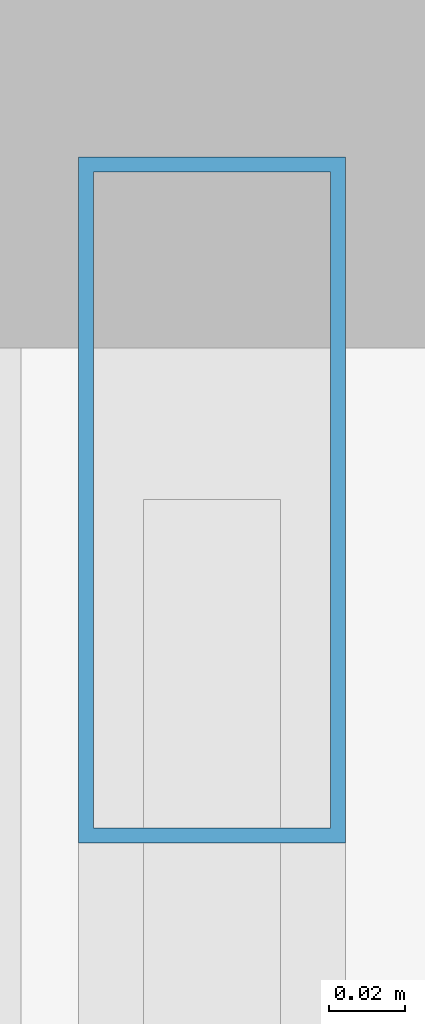
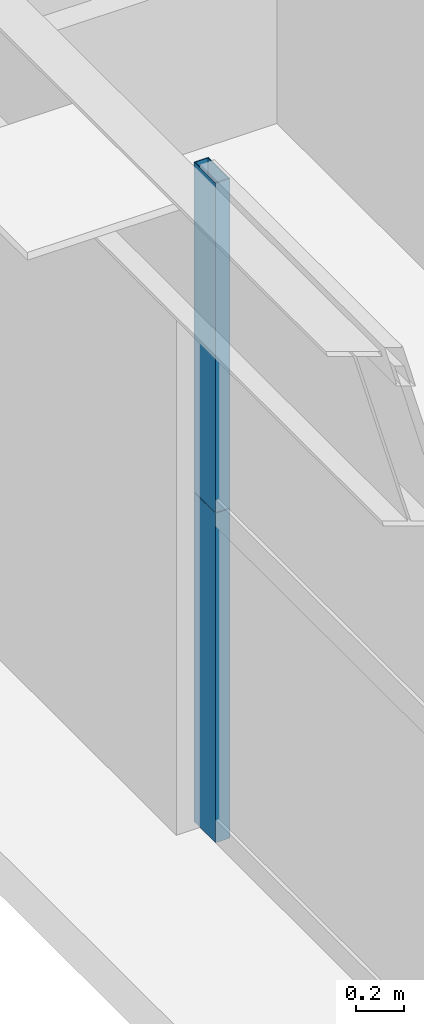
# One storey, part 25 of 45: 2 members, 1 element without a shape of its own.
"""IFC4 building model written with IfcOpenShell, lengths in metres."""

import ifcopenshell
import ifcopenshell.guid

model = None  # the IFC model being written
_history = None  # IfcOwnerHistory: only IFC2X3 demands one
_inside = {}  # id of a spatial element -> (the spatial element, [elements in it])
_under = {}  # id of a project, library or spatial element -> (it, [spatial elements below it])
_declared = {}  # id of a project -> (the project, [libraries it declares])
_typed = {}  # id of a type object -> (the type object, [elements of that type])
_made_of = {}  # id of a material, layer set ... -> (it, [elements and type objects made of it])


def new_model(schema):
    """Start an empty IFC model of exactly this schema.

    Asked for "IFC4X3", IfcOpenShell would pick the latest addendum, in which some entities
    have other attributes; the version numbers below select the first issue.
    IFC2X3 requires an IfcOwnerHistory on every rooted entity: one is made here for all.
    """
    global model, _history
    if schema == "IFC4X3":
        model = ifcopenshell.file(schema_version=(4, 3, 0, 0))
    else:
        model = ifcopenshell.file(schema=schema)
    _inside.clear()
    _under.clear()
    _declared.clear()
    _typed.clear()
    _made_of.clear()
    _history = None
    if model.schema == "IFC2X3":
        org = make("IfcOrganization", Name="unknown")
        user = make(
            "IfcPersonAndOrganization",
            ThePerson=make("IfcPerson", FamilyName="unknown"),
            TheOrganization=org,
        )
        app = make(
            "IfcApplication",
            ApplicationDeveloper=org,
            Version="unknown",
            ApplicationFullName="unknown",
            ApplicationIdentifier="unknown",
        )
        _history = make(
            "IfcOwnerHistory",
            OwningUser=user,
            OwningApplication=app,
            ChangeAction="ADDED",
            CreationDate=0,
        )
    return model


def make(cls, **values):
    """One entity of the class cls with the attributes given. An attribute that is None is left unset."""
    return model.create_entity(
        cls, **{name: value for name, value in values.items() if value is not None}
    )


def rooted(cls, **values):
    """An entity with a GlobalId (a new one), such as an element, a storey or a relation."""
    return make(cls, GlobalId=ifcopenshell.guid.new(), OwnerHistory=_history, **values)


def si_unit(unit_type, name, prefix=None):
    """IfcSIUnit, for example si_unit("LENGTHUNIT", "METRE", prefix="MILLI")."""
    return make("IfcSIUnit", UnitType=unit_type, Prefix=prefix, Name=name)


def assignment(units):
    """IfcUnitAssignment: the units of a project."""
    return None if units is None else make("IfcUnitAssignment", Units=units)


def point(xyz):
    """IfcCartesianPoint."""
    return None if xyz is None else make("IfcCartesianPoint", Coordinates=xyz)


def direction(xyz):
    """IfcDirection."""
    return None if xyz is None else make("IfcDirection", DirectionRatios=xyz)


def frame(location, z_axis=None, x_axis=None):
    """IfcAxis2Placement3D, a coordinate frame: its origin and axes. An axis left out is left unset."""
    return make(
        "IfcAxis2Placement3D",
        Location=point(location),
        Axis=direction(z_axis),
        RefDirection=direction(x_axis),
    )


def frame_2d(location, x_axis=None):
    """IfcAxis2Placement2D, a coordinate frame in the plane: its origin and x axis."""
    return make(
        "IfcAxis2Placement2D", Location=point(location), RefDirection=direction(x_axis)
    )


def origin():
    """The frame at (0, 0, 0) with its axes left unset."""
    return frame((0.0, 0.0, 0.0))


def origin_2d():
    """The frame at (0, 0) in the plane with its x axis left unset."""
    return frame_2d((0.0, 0.0))


def place(relative_to, where):
    """IfcLocalPlacement: puts the frame where relative to a parent placement (None: the world)."""
    return make(
        "IfcLocalPlacement", PlacementRelTo=relative_to, RelativePlacement=where
    )


def context(
    kind, dimensions, precision=None, world=None, true_north=None, identifier=None
):
    """IfcGeometricRepresentationContext, for example the 3D "Model" context."""
    return make(
        "IfcGeometricRepresentationContext",
        ContextIdentifier=identifier,
        ContextType=kind,
        CoordinateSpaceDimension=dimensions,
        Precision=precision,
        WorldCoordinateSystem=world,
        TrueNorth=true_north,
    )


def subcontext(parent, identifier, kind, view, scale=None):
    """IfcGeometricRepresentationSubContext, for example "Body" below "Model"."""
    return make(
        "IfcGeometricRepresentationSubContext",
        ContextIdentifier=identifier,
        ContextType=kind,
        ParentContext=parent,
        TargetScale=scale,
        TargetView=view,
    )


def project(units=None, contexts=None):
    """IfcProject with its units and contexts."""
    return rooted(
        "IfcProject",
        Name="project",
        RepresentationContexts=contexts,
        UnitsInContext=assignment(units),
    )


def spatial(cls, under=None, at=None, **own):
    """A site, building, storey or space (cls), placed at a placement, below another one or the project."""
    s = rooted(cls, ObjectPlacement=at, **own)
    if under is not None:
        _under.setdefault(under.id(), (under, []))[1].append(s)
    return s


def profile(cls, at=None, kind="AREA", **sizes):
    """A parametric profile (cls). Its sizes go by their IFC names, for example OverallWidth=200.0."""
    return make(cls, ProfileType=kind, Position=at, **sizes)


def hollow_rectangle(**sizes):
    """IfcRectangleHollowProfileDef."""
    return profile("IfcRectangleHollowProfileDef", **sizes)


def extrude(swept, where, along, depth):
    """IfcExtrudedAreaSolid: the profile swept, set in the frame where, extruded along a direction by depth."""
    return make(
        "IfcExtrudedAreaSolid",
        SweptArea=swept,
        Position=where,
        ExtrudedDirection=direction(along),
        Depth=depth,
    )


def shape(context_of_items, identifier, shape_type, items):
    """IfcShapeRepresentation: the items that make up one representation, for example the "Body"."""
    return make(
        "IfcShapeRepresentation",
        ContextOfItems=context_of_items,
        RepresentationIdentifier=identifier,
        RepresentationType=shape_type,
        Items=items,
    )


def source(mapping_origin, context_of_items, identifier, shape_type, items):
    """IfcRepresentationMap: a shape defined once, which mapped items show again and again."""
    return make(
        "IfcRepresentationMap",
        MappingOrigin=mapping_origin,
        MappedRepresentation=shape(context_of_items, identifier, shape_type, items),
    )


def transform(
    local_origin,
    x_axis=None,
    y_axis=None,
    z_axis=None,
    scale=None,
    scale2=None,
    scale3=None,
    uniform=True,
):
    """IfcCartesianTransformationOperator3D, or its non-uniform kind. x_axis, y_axis, z_axis: its Axis1, 2, 3."""
    if uniform:
        return make(
            "IfcCartesianTransformationOperator3D",
            Axis1=direction(x_axis),
            Axis2=direction(y_axis),
            LocalOrigin=point(local_origin),
            Scale=scale,
            Axis3=direction(z_axis),
        )
    return make(
        "IfcCartesianTransformationOperator3DnonUniform",
        Axis1=direction(x_axis),
        Axis2=direction(y_axis),
        LocalOrigin=point(local_origin),
        Scale=scale,
        Axis3=direction(z_axis),
        Scale2=scale2,
        Scale3=scale3,
    )


def mapped(mapping_source, mapping_target):
    """IfcMappedItem: shows the shape of a source again, moved by a transform."""
    return make(
        "IfcMappedItem", MappingSource=mapping_source, MappingTarget=mapping_target
    )


def material(Name=None, Category=None):
    """IfcMaterial."""
    return make("IfcMaterial", Name=Name, Category=Category)


def layer(
    of_material, thickness, ventilated=None, Name=None, Category=None, Priority=None
):
    """IfcMaterialLayer: one layer of a wall or slab, of a material (None: an air gap)."""
    return make(
        "IfcMaterialLayer",
        Material=of_material,
        LayerThickness=thickness,
        IsVentilated=ventilated,
        Name=Name,
        Category=Category,
        Priority=Priority,
    )


def layer_set(layers, Name=None):
    """IfcMaterialLayerSet."""
    return make("IfcMaterialLayerSet", MaterialLayers=layers, LayerSetName=Name)


def material_profile(
    of_material, cross_section, Name=None, Category=None, Priority=None
):
    """IfcMaterialProfile: a cross section and its material."""
    return make(
        "IfcMaterialProfile",
        Name=Name,
        Material=of_material,
        Profile=cross_section,
        Priority=Priority,
        Category=Category,
    )


def profile_set(profiles, Name=None, composite=None):
    """IfcMaterialProfileSet."""
    return make(
        "IfcMaterialProfileSet",
        Name=Name,
        MaterialProfiles=profiles,
        CompositeProfile=composite,
    )


def made_of(thing, what):
    """Note that an element or type object is made of a material, layer set ...; save() writes the relation."""
    if what is not None:
        _made_of.setdefault(what.id(), (what, []))[1].append(thing)
    return thing


def type_object(cls, material=None, **own):
    """A type object (cls), such as IfcWallType, which elements share."""
    return made_of(rooted(cls, **own), material)


def element(
    cls,
    number,
    at=None,
    inside=None,
    cuts=None,
    type_object=None,
    material=None,
    context=None,
    identifier="Body",
    shape_type=None,
    held_by="IfcProductDefinitionShape",
    body=None,
    shapes=None,
    **own,
):
    """One element of the class cls, such as IfcWall. Its Tag is "e" and its number.

    at: its placement. inside: the storey or other place that contains it. cuts: it is an
    opening in that element (IfcRelVoidsElement). A single representation is given by context,
    identifier, shape_type and body (its items); several are given by shapes. held_by: the class
    of the entity that holds the representations. save() writes the other relations.
    """
    e = rooted(cls, Tag="e%d" % number, ObjectPlacement=at, **own)
    if body is not None:
        shapes = [shape(context, identifier, shape_type, body)]
    if shapes is not None:
        e.Representation = make(held_by, Representations=shapes)
    if inside is not None:
        _inside.setdefault(inside.id(), (inside, []))[1].append(e)
    if cuts is not None:
        rooted(
            "IfcRelVoidsElement", RelatingBuildingElement=cuts, RelatedOpeningElement=e
        )
    if type_object is not None:
        _typed.setdefault(type_object.id(), (type_object, []))[1].append(e)
    return made_of(e, material)


def aggregate(whole, parts):
    """IfcRelAggregates: a whole, such as a stair, and the parts it consists of."""
    return rooted("IfcRelAggregates", RelatingObject=whole, RelatedObjects=parts)


def save(model, path):
    """Write the relations noted so far, then the file.

    IfcRelAggregates (storeys below a building ...), IfcRelContainedInSpatialStructure (elements
    in a storey), IfcRelDefinesByType, IfcRelAssociatesMaterial and IfcRelDeclares: one each for
    every whole, place, type object, material and project.
    """
    for whole, parts in _under.values():
        aggregate(whole, parts)
    for where, things in _inside.values():
        rooted(
            "IfcRelContainedInSpatialStructure",
            RelatedElements=things,
            RelatingStructure=where,
        )
    for kind, things in _typed.values():
        rooted("IfcRelDefinesByType", RelatedObjects=things, RelatingType=kind)
    for what, things in _made_of.values():
        rooted("IfcRelAssociatesMaterial", RelatedObjects=things, RelatingMaterial=what)
    for by, libraries in _declared.values():
        rooted("IfcRelDeclares", RelatingContext=by, RelatedDefinitions=libraries)
    model.write(path)


model = new_model("IFC4")

# Units and contexts
model_context = context("Model", 3, precision=1e-05, world=origin(), true_north=direction((0.0, 1.0)))
body_context = subcontext(model_context, "Body", "Model", "MODEL_VIEW")
ifc_project = project(units=[si_unit("LENGTHUNIT", "METRE"), si_unit("AREAUNIT", "SQUARE_METRE"), si_unit("VOLUMEUNIT", "CUBIC_METRE"), si_unit("PLANEANGLEUNIT", "RADIAN"), si_unit("MASSUNIT", "GRAM", prefix="KILO"), si_unit("THERMODYNAMICTEMPERATUREUNIT", "KELVIN"), si_unit("POWERUNIT", "WATT")], contexts=[model_context])

# Site, building, storey
site_placement = place(None, origin())
site = spatial("IfcSite", under=ifc_project, at=site_placement, CompositionType="ELEMENT")
building_placement = place(site_placement, origin())
building = spatial("IfcBuilding", under=site, at=building_placement, Name="Yuzanri Waterfront Tower", CompositionType="ELEMENT")
storey_placement = place(building_placement, frame((0.0, 0.0, 49.60009765625)))
storey = spatial("IfcBuildingStorey", under=building, at=storey_placement, Name="L12", CompositionType="ELEMENT", Elevation=49.60009765625)

# Curtain wall, members
ifc_material_1 = material(Name="Anodized Architectural Bronze", Category="metal")
ifc_layer = layer(ifc_material_1, 0.159912109375)
ifc_layer_set = layer_set([ifc_layer], Name="Anodized Architectural Bronze")
curtain_wall_type = type_object("IfcCurtainWallType", Name="Anodized Bronze Hotel Lower-Tier Recessed Unitized Curtain Wall 8100", PredefinedType="NOTDEFINED", material=ifc_layer_set)
curtain_wall_placement = place(storey_placement, origin())
curtain_wall = element("IfcCurtainWall", 1, at=curtain_wall_placement, inside=storey, type_object=curtain_wall_type, Name="L12 Curtain Wall CW-L12-WR", PredefinedType="NOTDEFINED")
ifc_material_2 = material(Name="Anodized Architectural Bronze", Category="metal")
ifc_material_profile = material_profile(ifc_material_2, hollow_rectangle(XDim=0.070068359375, YDim=0.179931640625, WallThickness=0.00390625, at=origin_2d()), Name="CWM 70x180")
ifc_profile_set = profile_set([ifc_material_profile], Name="Anodized Architectural Bronze")
member_type = type_object("IfcMemberType", Name="Anodized Bronze Standard Curtain-Wall Mullion 70x180", PredefinedType="MULLION", material=ifc_profile_set)
shared_shape = source(origin(), body_context, "Body", "SweptSolid", [
    extrude(hollow_rectangle(XDim=0.070068359375, YDim=0.179931640625, WallThickness=0.00390625, at=origin_2d()), origin(), (0.0, 0.0, 1.0), 1.68798828125),
])
member_1_placement = place(storey_placement, frame((12.050048828125, 43.510009765625, 0.0), z_axis=(0.0, 0.0, 1.0), x_axis=(1.0, 0.0, 0.0)))
member_1 = element("IfcMember", 2, at=member_1_placement, type_object=member_type, Name="CW-L12-WR Lower Mullion 02", PredefinedType="MULLION", context=body_context, shape_type="MappedRepresentation", body=[
    mapped(shared_shape, transform((0.0, 0.0, 0.0), scale=1.0)),
])
member_2_placement = place(storey_placement, frame((12.050048828125, 43.510009765625, 1.69189453125), z_axis=(0.0, 0.0, 1.0), x_axis=(1.0, 0.0, 0.0)))
member_2 = element("IfcMember", 3, at=member_2_placement, type_object=member_type, Name="CW-L12-WR Upper Mullion 02", PredefinedType="MULLION", context=body_context, shape_type="MappedRepresentation", body=[
    mapped(shared_shape, transform((0.0, 0.0, 0.0), scale=1.0)),
])
aggregate(curtain_wall, [member_1, member_2])

save(model, "model.ifc")
